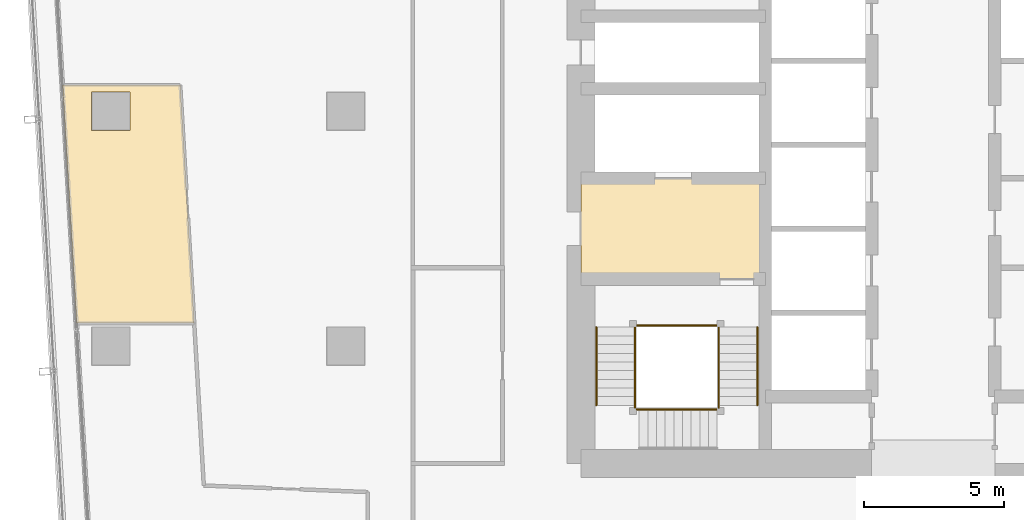
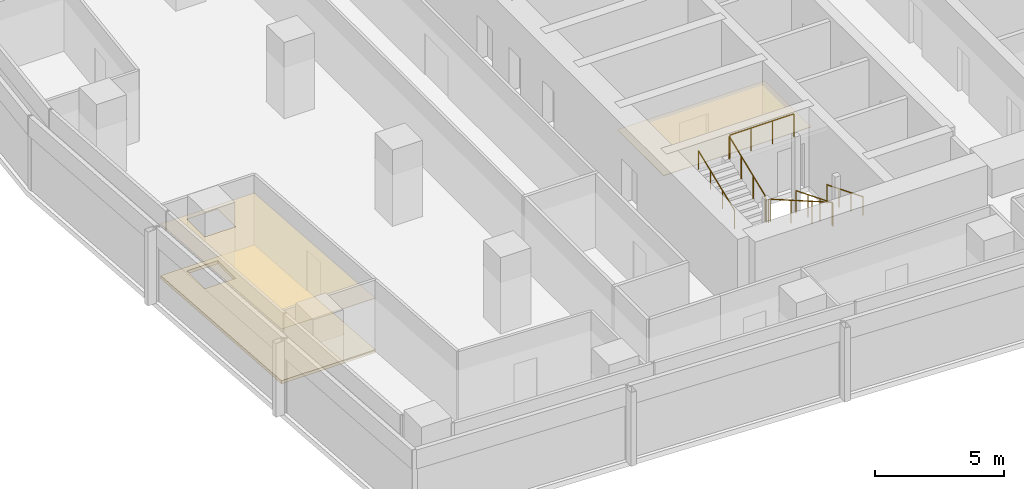
# One storey, part 32 of 38: 9 railings, 3 coverings.
"""IFC4 building model written with IfcOpenShell, lengths in metres."""

from ifc_helpers import new_model, si_unit, direction, frame, origin, origin_2d, place, context, subcontext, project, spatial, polyline, circle, outline, extrude, material, layer, layer_set, type_object, element, save


model = new_model("IFC4")

# Units and contexts
model_context = context("Model", 3, precision=1e-05, world=origin(), true_north=direction((0.0, 1.0)))
body_context = subcontext(model_context, "Body", "Model", "MODEL_VIEW")
ifc_project = project(units=[si_unit("LENGTHUNIT", "METRE"), si_unit("AREAUNIT", "SQUARE_METRE"), si_unit("VOLUMEUNIT", "CUBIC_METRE"), si_unit("PLANEANGLEUNIT", "RADIAN"), si_unit("MASSUNIT", "GRAM", prefix="KILO")], contexts=[model_context])

# Site, building, storey
site_placement = place(None, origin())
site = spatial("IfcSite", under=ifc_project, at=site_placement, CompositionType="ELEMENT")
building_placement = place(site_placement, origin())
building = spatial("IfcBuilding", under=site, at=building_placement, Name="Rekha Terrace Tower", CompositionType="ELEMENT")
storey_placement = place(building_placement, frame((0.0, 0.0, 198.949951171875)))
storey = spatial("IfcBuildingStorey", under=building, at=storey_placement, Name="L50", CompositionType="ELEMENT", Elevation=198.949951171875)

# Coverings
ifc_material_1 = material(Name="Mineral fibre tile in exposed grid", Category="finish")
ifc_layer_1 = layer(ifc_material_1, 0.02001953125)
ifc_layer_set_1 = layer_set([ifc_layer_1], Name="Mineral fibre tile in exposed grid")
covering_type_1 = type_object("IfcCoveringType", Name="CL1 600x1200 office grid ceiling", PredefinedType="CEILING", material=ifc_layer_set_1)
covering_1_placement = place(storey_placement, frame((0.0, 0.0, 2.580078125)))
element("IfcCovering", 1, at=covering_1_placement, inside=storey, type_object=covering_type_1, Name="Ceiling L50-14", PredefinedType="CEILING", context=body_context, shape_type="SweptSolid", body=[
    extrude(outline(polyline([(10.8779296875, 34.535888671875), (6.6708984375, 34.535888671875), (7.172119140625, 26.02392578125), (11.37890625, 26.02392578125), (10.8779296875, 34.535888671875)]), holes=[polyline([(9.090087890625, 34.2900390625), (9.090087890625, 32.909912109375), (7.7099609375, 32.909912109375), (7.7099609375, 34.2900390625), (9.090087890625, 34.2900390625)])]), origin(), (0.0, 0.0, 1.0), 0.02001953125),
])
ifc_material_2 = material(Name="Powder-coated aluminium pan", Category="aluminium")
ifc_layer_2 = layer(ifc_material_2, 0.030029296875)
ifc_layer_set_2 = layer_set([ifc_layer_2], Name="Powder-coated aluminium pan")
covering_type_2 = type_object("IfcCoveringType", Name="CL3 300x1200 metal pan ceiling", PredefinedType="CEILING", material=ifc_layer_set_2)
covering_2_placement = place(storey_placement, frame((0.0, 0.0, 2.570068359375)))
element("IfcCovering", 2, at=covering_2_placement, inside=storey, type_object=covering_type_2, Name="Ceiling L50-FLB1", PredefinedType="CEILING", context=body_context, shape_type="SweptSolid", body=[
    extrude(outline(polyline([(31.800048828125, 31.199951171875), (25.199951171875, 31.199951171875), (25.199951171875, 27.60009765625), (31.800048828125, 27.60009765625), (31.800048828125, 31.199951171875)])), origin(), (0.0, 0.0, 1.0), 0.030029296875),
])

# Railings
ifc_material_3 = material(Name="Stainless steel balustrade", Category="steel")
railing_type_1 = type_object("IfcRailingType", Name="GR1 1100 stair guard", PredefinedType="GUARDRAIL", material=ifc_material_3)
railing_1_placement = place(storey_placement, frame((30.135009765625, 25.875, 0.125)))
element("IfcRailing", 3, at=railing_1_placement, inside=storey, type_object=railing_type_1, Name="Guard ST1 L50 flight 1", PredefinedType="GUARDRAIL", context=body_context, shape_type="SweptSolid", body=[
    extrude(circle(Radius=0.02392578125, at=origin_2d()), frame((0.0, 0.0, 1.076171875), z_axis=(0.0, -0.927443287984, 0.373963831907), x_axis=(1.0, 0.0, 0.0)), (0.0, 0.0, 1.0), 3.00830078125),
    extrude(circle(Radius=0.02099609375, at=origin_2d()), origin(), (0.0, 0.0, 1.0), 1.052001953125),
    extrude(circle(Radius=0.02099609375, at=origin_2d()), frame((0.0, -0.929931640625, 0.375)), (0.0, 0.0, 1.0), 1.052001953125),
    extrude(circle(Radius=0.02099609375, at=origin_2d()), frame((0.0, -1.860107421875, 0.75)), (0.0, 0.0, 1.0), 1.052001953125),
    extrude(circle(Radius=0.02099609375, at=origin_2d()), frame((0.0, -2.7900390625, 1.125)), (0.0, 0.0, 1.0), 1.052001953125),
])
railing_2_placement = place(storey_placement, frame((30.074951171875, 22.93994140625, 1.375)))
element("IfcRailing", 4, at=railing_2_placement, inside=storey, type_object=railing_type_1, Name="Guard ST1 L50 flight 2", PredefinedType="GUARDRAIL", context=body_context, shape_type="SweptSolid", body=[
    extrude(circle(Radius=0.02392578125, at=origin_2d()), frame((0.0, 0.0, 1.076171875), z_axis=(-0.927443287984, 0.0, 0.373963831907), x_axis=(0.0, -1.0, 0.0)), (0.0, 0.0, 1.0), 3.00830078125),
    extrude(circle(Radius=0.02099609375, at=origin_2d()), origin(), (0.0, 0.0, 1.0), 1.052001953125),
    extrude(circle(Radius=0.02099609375, at=origin_2d()), frame((-0.929931640625, 0.0, 0.375)), (0.0, 0.0, 1.0), 1.052001953125),
    extrude(circle(Radius=0.02099609375, at=origin_2d()), frame((-1.860107421875, 0.0, 0.75)), (0.0, 0.0, 1.0), 1.052001953125),
    extrude(circle(Radius=0.02099609375, at=origin_2d()), frame((-2.7900390625, 0.0, 1.125)), (0.0, 0.0, 1.0), 1.052001953125),
])
railing_3_placement = place(storey_placement, frame((27.139892578125, 23.0849609375, 2.625)))
element("IfcRailing", 5, at=railing_3_placement, inside=storey, type_object=railing_type_1, Name="Guard ST1 L50 flight 3", PredefinedType="GUARDRAIL", context=body_context, shape_type="SweptSolid", body=[
    extrude(circle(Radius=0.02392578125, at=origin_2d()), frame((0.0, 0.0, 1.076171875), z_axis=(0.0, 0.927443287984, 0.373963831907), x_axis=(-1.0, 0.0, 0.0)), (0.0, 0.0, 1.0), 3.00830078125),
    extrude(circle(Radius=0.02099609375, at=origin_2d()), origin(), (0.0, 0.0, 1.0), 1.052001953125),
    extrude(circle(Radius=0.02099609375, at=origin_2d()), frame((0.0, 0.929931640625, 0.375)), (0.0, 0.0, 1.0), 1.052001953125),
    extrude(circle(Radius=0.02099609375, at=origin_2d()), frame((0.0, 1.860107421875, 0.75)), (0.0, 0.0, 1.0), 1.052001953125),
    extrude(circle(Radius=0.02099609375, at=origin_2d()), frame((0.0, 2.7900390625, 1.125)), (0.0, 0.0, 1.0), 1.052001953125),
])
railing_4_placement = place(storey_placement, frame((30.135009765625, 23.0849609375, 1.25)))
element("IfcRailing", 6, at=railing_4_placement, inside=storey, type_object=railing_type_1, Name="Guard ST1 L50 landing 1", PredefinedType="GUARDRAIL", context=body_context, shape_type="SweptSolid", body=[
    extrude(circle(Radius=0.02392578125, at=origin_2d()), frame((0.0, 0.0, 1.076171875), z_axis=(0.0, -1.0, 0.0), x_axis=(1.0, 0.0, 0.0)), (0.0, 0.0, 1.0), 0.0849609375),
    extrude(circle(Radius=0.02099609375, at=origin_2d()), origin(), (0.0, 0.0, 1.0), 1.052001953125),
    extrude(circle(Radius=0.02099609375, at=origin_2d()), frame((0.0, -0.0849609375, 0.0)), (0.0, 0.0, 1.0), 1.052001953125),
])
railing_5_placement = place(storey_placement, frame((27.284912109375, 22.93994140625, 2.5)))
element("IfcRailing", 7, at=railing_5_placement, inside=storey, type_object=railing_type_1, Name="Guard ST1 L50 landing 2", PredefinedType="GUARDRAIL", context=body_context, shape_type="SweptSolid", body=[
    extrude(circle(Radius=0.02392578125, at=origin_2d()), frame((0.0, 0.0, 1.076171875), z_axis=(-1.0, 0.0, 0.0), x_axis=(0.0, -1.0, 0.0)), (0.0, 0.0, 1.0), 0.0849609375),
    extrude(circle(Radius=0.02099609375, at=origin_2d()), origin(), (0.0, 0.0, 1.0), 1.052001953125),
    extrude(circle(Radius=0.02099609375, at=origin_2d()), frame((-0.0849609375, 0.0, 0.0)), (0.0, 0.0, 1.0), 1.052001953125),
])
railing_6_placement = place(storey_placement, frame((27.139892578125, 23.0849609375, 2.5)))
element("IfcRailing", 8, at=railing_6_placement, inside=storey, type_object=railing_type_1, Name="Guard ST1 L50 landing 3", PredefinedType="GUARDRAIL", context=body_context, shape_type="SweptSolid", body=[
    extrude(circle(Radius=0.02392578125, at=origin_2d()), frame((0.0, 0.0, 1.076171875), z_axis=(0.0, -1.0, 0.0), x_axis=(1.0, 0.0, 0.0)), (0.0, 0.0, 1.0), 0.0849609375),
    extrude(circle(Radius=0.02099609375, at=origin_2d()), origin(), (0.0, 0.0, 1.0), 1.052001953125),
    extrude(circle(Radius=0.02099609375, at=origin_2d()), frame((0.0, -0.0849609375, 0.0)), (0.0, 0.0, 1.0), 1.052001953125),
])
railing_7_placement = place(storey_placement, frame((30.074951171875, 25.93505859375, 3.75)))
element("IfcRailing", 9, at=railing_7_placement, inside=storey, type_object=railing_type_1, Name="Guard ST1 L50 landing 4", PredefinedType="GUARDRAIL", context=body_context, shape_type="SweptSolid", body=[
    extrude(circle(Radius=0.02392578125, at=origin_2d()), frame((0.0, 0.0, 1.076171875), z_axis=(-1.0, 0.0, 0.0), x_axis=(0.0, -1.0, 0.0)), (0.0, 0.0, 1.0), 2.875),
    extrude(circle(Radius=0.02099609375, at=origin_2d()), origin(), (0.0, 0.0, 1.0), 1.052001953125),
    extrude(circle(Radius=0.02099609375, at=origin_2d()), frame((-0.958251953125, 0.0, 0.0)), (0.0, 0.0, 1.0), 1.052001953125),
    extrude(circle(Radius=0.02099609375, at=origin_2d()), frame((-1.916748046875, 0.0, 0.0)), (0.0, 0.0, 1.0), 1.052001953125),
    extrude(circle(Radius=0.02099609375, at=origin_2d()), frame((-2.875, 0.0, 0.0)), (0.0, 0.0, 1.0), 1.052001953125),
])
ifc_material_4 = material(Name="Stainless steel tube", Category="steel")
railing_type_2 = type_object("IfcRailingType", Name="HR1 900 stair handrail", PredefinedType="HANDRAIL", material=ifc_material_4)
railing_8_placement = place(storey_placement, frame((31.514892578125, 25.875, 0.125)))
element("IfcRailing", 10, at=railing_8_placement, inside=storey, type_object=railing_type_2, Name="Handrail ST1 L50 flight 1", PredefinedType="HANDRAIL", context=body_context, shape_type="SweptSolid", body=[
    extrude(circle(Radius=0.02392578125, at=origin_2d()), frame((0.0, 0.0, 0.8759765625), z_axis=(0.0, -0.927443287984, 0.373963831907), x_axis=(1.0, 0.0, 0.0)), (0.0, 0.0, 1.0), 3.00830078125),
    extrude(circle(Radius=0.02099609375, at=origin_2d()), origin(), (0.0, 0.0, 1.0), 0.851806640625),
    extrude(circle(Radius=0.02099609375, at=origin_2d()), frame((0.0, -0.929931640625, 0.375)), (0.0, 0.0, 1.0), 0.851806640625),
    extrude(circle(Radius=0.02099609375, at=origin_2d()), frame((0.0, -1.860107421875, 0.75)), (0.0, 0.0, 1.0), 0.851806640625),
    extrude(circle(Radius=0.02099609375, at=origin_2d()), frame((0.0, -2.7900390625, 1.125)), (0.0, 0.0, 1.0), 0.851806640625),
])
railing_9_placement = place(storey_placement, frame((25.760009765625, 23.0849609375, 2.625)))
element("IfcRailing", 11, at=railing_9_placement, inside=storey, type_object=railing_type_2, Name="Handrail ST1 L50 flight 3", PredefinedType="HANDRAIL", context=body_context, shape_type="SweptSolid", body=[
    extrude(circle(Radius=0.02392578125, at=origin_2d()), frame((0.0, 0.0, 0.8759765625), z_axis=(0.0, 0.927443287984, 0.373963831907), x_axis=(-1.0, 0.0, 0.0)), (0.0, 0.0, 1.0), 3.00830078125),
    extrude(circle(Radius=0.02099609375, at=origin_2d()), origin(), (0.0, 0.0, 1.0), 0.851806640625),
    extrude(circle(Radius=0.02099609375, at=origin_2d()), frame((0.0, 0.929931640625, 0.375)), (0.0, 0.0, 1.0), 0.851806640625),
    extrude(circle(Radius=0.02099609375, at=origin_2d()), frame((0.0, 1.860107421875, 0.75)), (0.0, 0.0, 1.0), 0.851806640625),
    extrude(circle(Radius=0.02099609375, at=origin_2d()), frame((0.0, 2.7900390625, 1.125)), (0.0, 0.0, 1.0), 0.851806640625),
])

# Covering
ifc_material_5 = material(Name="Calcium sulphate panels on steel pedestals", Category="steel")
ifc_layer_3 = layer(ifc_material_5, 0.14990234375)
ifc_layer_set_3 = layer_set([ifc_layer_3], Name="Calcium sulphate panels on steel pedestals")
covering_type_3 = type_object("IfcCoveringType", Name="RF1 150 raised access floor", PredefinedType="FLOORING", material=ifc_layer_set_3)
covering_3_placement = place(storey_placement, origin())
element("IfcCovering", 12, at=covering_3_placement, inside=storey, type_object=covering_type_3, Name="Raised floor L50-14", PredefinedType="FLOORING", context=body_context, shape_type="SweptSolid", body=[
    extrude(outline(polyline([(10.8779296875, 34.535888671875), (6.6708984375, 34.535888671875), (7.172119140625, 26.02392578125), (11.37890625, 26.02392578125), (10.8779296875, 34.535888671875)]), holes=[polyline([(9.090087890625, 34.2900390625), (9.090087890625, 32.909912109375), (7.7099609375, 32.909912109375), (7.7099609375, 34.2900390625), (9.090087890625, 34.2900390625)])]), origin(), (0.0, 0.0, 1.0), 0.150146484375),
])

save(model, "model.ifc")
